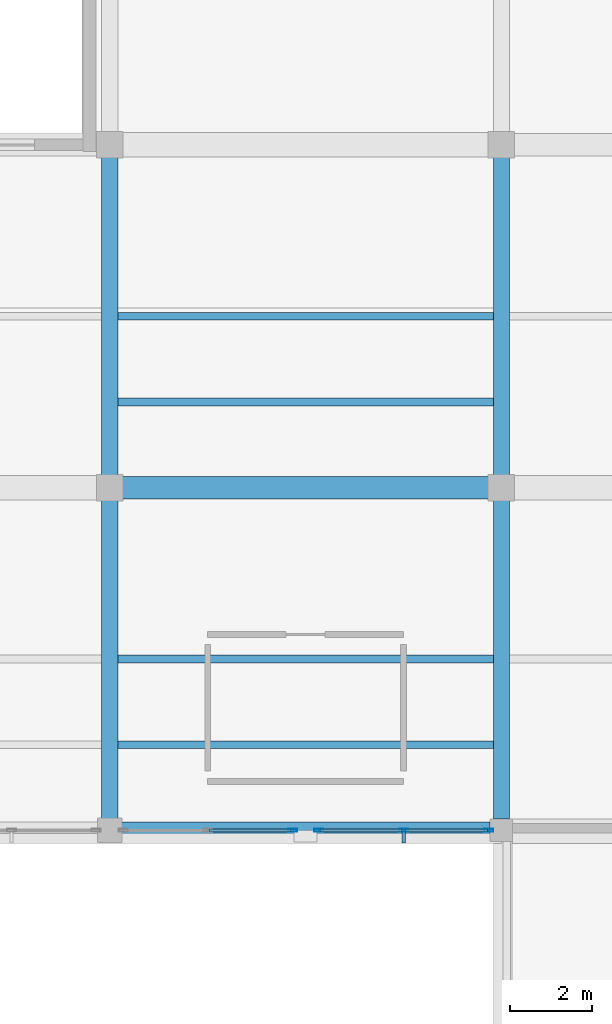
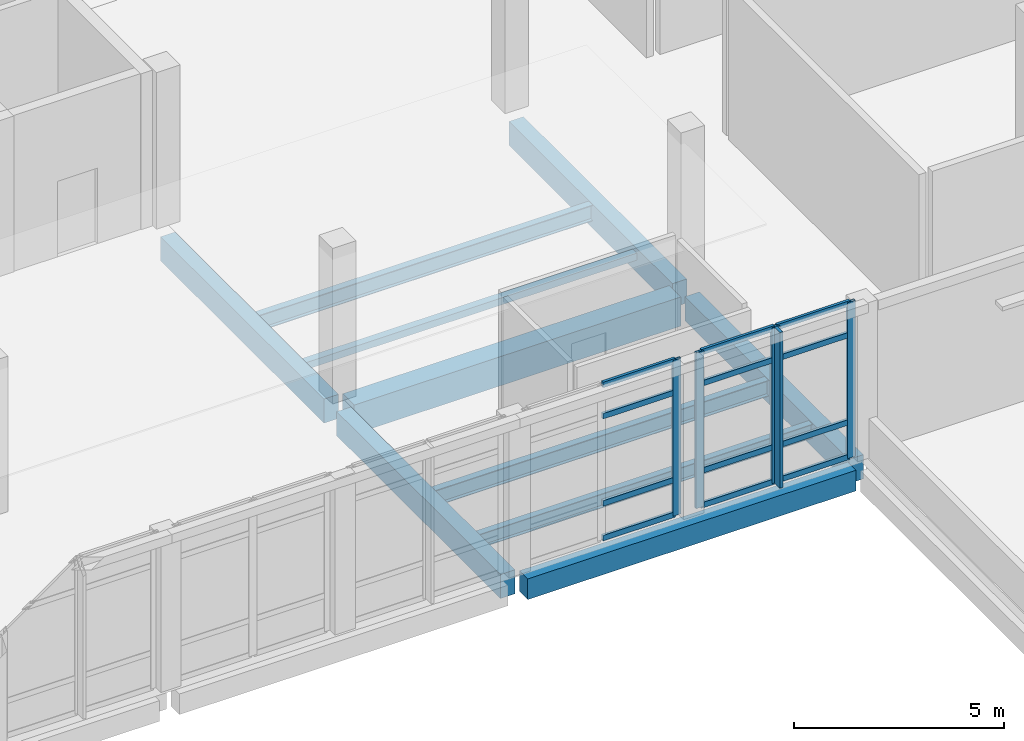
# One storey, part 33 of 88: 17 members, 10 beams, 2 elements without a shape of their own.
"""IFC4 building model written with IfcOpenShell, lengths in metres."""

from ifc_helpers import new_model, si_unit, direction, frame, origin, origin_2d, place, context, subcontext, project, spatial, rectangle, hollow_rectangle, i_section, extrude, material, layer, layer_set, material_profile, profile_set, type_object, element, aggregate, save


model = new_model("IFC4")

# Units and contexts
model_context = context("Model", 3, precision=1e-05, world=origin(), true_north=direction((0.0, 1.0)))
body_context = subcontext(model_context, "Body", "Model", "MODEL_VIEW")
ifc_project = project(units=[si_unit("LENGTHUNIT", "METRE"), si_unit("AREAUNIT", "SQUARE_METRE"), si_unit("VOLUMEUNIT", "CUBIC_METRE"), si_unit("PLANEANGLEUNIT", "RADIAN"), si_unit("MASSUNIT", "GRAM", prefix="KILO")], contexts=[model_context])

# Site, building, storey
site_placement = place(None, origin())
site = spatial("IfcSite", under=ifc_project, at=site_placement, CompositionType="ELEMENT")
building_placement = place(site_placement, origin())
building = spatial("IfcBuilding", under=site, at=building_placement, Name="Lornevale Opera House", CompositionType="ELEMENT")
storey_placement = place(building_placement, frame((0.0, 0.0, 10.199951171875)))
storey = spatial("IfcBuildingStorey", under=building, at=storey_placement, Name="L03", CompositionType="ELEMENT", Elevation=10.199951171875)

# Beams
ifc_material_1 = material(Name="Concrete 35 MPa (CSA A23.1 N)", Category="concrete")
ifc_material_profile_1 = material_profile(ifc_material_1, rectangle(XDim=0.39990234375, YDim=0.699951171875, at=origin_2d()), Name="RC400x700")
ifc_profile_set_1 = profile_set([ifc_material_profile_1], Name="Concrete 35 MPa (CSA A23.1 N)")
beam_type_1 = type_object("IfcBeamType", Name="Concrete Floor Beam 400x700", PredefinedType="USERDEFINED", material=ifc_profile_set_1)
beam_1_placement = place(storey_placement, frame((115.199951171875, 17.074951171875, -0.6298828125), z_axis=(0.0, 1.0, 0.0), x_axis=(-1.0, 0.0, 0.0)))
element("IfcBeam", 1, at=beam_1_placement, inside=storey, type_object=beam_type_1, Name="Concrete Floor Beam 400x700 2320", ObjectType="GIRDER", PredefinedType="USERDEFINED", context=body_context, shape_type="SweptSolid", body=[
    extrude(rectangle(XDim=0.39990234375, YDim=0.699951171875, at=origin_2d()), origin(), (0.0, 0.0, 1.0), 7.824951171875),
])
beam_2_placement = place(storey_placement, frame((115.199951171875, 25.5, -0.6298828125), z_axis=(0.0, 1.0, 0.0), x_axis=(-1.0, 0.0, 0.0)))
element("IfcBeam", 2, at=beam_2_placement, inside=storey, type_object=beam_type_1, Name="Concrete Floor Beam 400x700 2321", ObjectType="GIRDER", PredefinedType="USERDEFINED", context=body_context, shape_type="SweptSolid", body=[
    extrude(rectangle(XDim=0.39990234375, YDim=0.699951171875, at=origin_2d()), origin(), (0.0, 0.0, 1.0), 7.800048828125),
])
beam_3_placement = place(storey_placement, frame((124.800048828125, 17.074951171875, -0.639892578125), z_axis=(0.0, 1.0, 0.0), x_axis=(-1.0, 0.0, 0.0)))
element("IfcBeam", 3, at=beam_3_placement, inside=storey, type_object=beam_type_1, Name="Concrete Floor Beam 400x700 2331", ObjectType="GIRDER", PredefinedType="USERDEFINED", context=body_context, shape_type="SweptSolid", body=[
    extrude(rectangle(XDim=0.39990234375, YDim=0.699951171875, at=origin_2d()), origin(), (0.0, 0.0, 1.0), 7.824951171875),
])
beam_4_placement = place(storey_placement, frame((124.800048828125, 25.5, -0.6298828125), z_axis=(0.0, 1.0, 0.0), x_axis=(-1.0, 0.0, 0.0)))
element("IfcBeam", 4, at=beam_4_placement, inside=storey, type_object=beam_type_1, Name="Concrete Floor Beam 400x700 2332", ObjectType="GIRDER", PredefinedType="USERDEFINED", context=body_context, shape_type="SweptSolid", body=[
    extrude(rectangle(XDim=0.39990234375, YDim=0.699951171875, at=origin_2d()), origin(), (0.0, 0.0, 1.0), 7.800048828125),
])
ifc_material_profile_2 = material_profile(ifc_material_1, rectangle(XDim=0.550048828125, YDim=0.85009765625, at=origin_2d()), Name="RC550x850")
ifc_profile_set_2 = profile_set([ifc_material_profile_2], Name="Concrete 35 MPa (CSA A23.1 N)")
beam_type_2 = type_object("IfcBeamType", Name="Concrete Primary Girder 550x850", PredefinedType="USERDEFINED", material=ifc_profile_set_2)
beam_5_placement = place(storey_placement, frame((115.5, 25.199951171875, -0.704833984375), z_axis=(1.0, 0.0, 0.0), x_axis=(0.0, 1.0, 0.0)))
element("IfcBeam", 5, at=beam_5_placement, inside=storey, type_object=beam_type_2, Name="Concrete Primary Girder 550x850 2113", ObjectType="GIRDER", PredefinedType="USERDEFINED", context=body_context, shape_type="SweptSolid", body=[
    extrude(rectangle(XDim=0.550048828125, YDim=0.85009765625, at=origin_2d()), origin(), (0.0, 0.0, 1.0), 9.0),
])
ifc_material_profile_3 = material_profile(ifc_material_1, rectangle(XDim=0.39990234375, YDim=0.60009765625, at=origin_2d()), Name="RC400x600")
ifc_profile_set_3 = profile_set([ifc_material_profile_3], Name="Concrete 35 MPa (CSA A23.1 N)")
beam_type_3 = type_object("IfcBeamType", Name="Concrete Spandrel Beam 400x600", PredefinedType="SPANDREL", material=ifc_profile_set_3)
beam_6_placement = place(storey_placement, frame((115.47509765625, 16.800048828125, -0.58984375), z_axis=(1.0, 0.0, 0.0), x_axis=(0.0, 1.0, 0.0)))
element("IfcBeam", 6, at=beam_6_placement, inside=storey, type_object=beam_type_3, Name="Concrete Spandrel Beam 400x600 2100", PredefinedType="SPANDREL", context=body_context, shape_type="SweptSolid", body=[
    extrude(rectangle(XDim=0.39990234375, YDim=0.60009765625, at=origin_2d()), origin(), (0.0, 0.0, 1.0), 9.0498046875),
])
ifc_material_2 = material(Name="Structural Steel CSA G40.21 Grade 350W (350 MPa)", Category="steel")
ifc_material_profile_4 = material_profile(ifc_material_2, i_section(OverallWidth=0.178955078125, OverallDepth=0.409912109375, WebThickness=0.0087890625, FlangeThickness=0.014404296875, at=origin_2d()), Name="W410x67")
ifc_profile_set_4 = profile_set([ifc_material_profile_4], Name="Structural Steel CSA G40.21 Grade 350W (350 MPa)")
beam_type_4 = type_object("IfcBeamType", Name="Conservatory Joist W410x67", PredefinedType="JOIST", material=ifc_profile_set_4)
beam_7_placement = place(storey_placement, frame((115.39990234375, 18.89990234375, -0.52001953125), z_axis=(1.0, 0.0, 0.0), x_axis=(0.0, 1.0, 0.0)))
element("IfcBeam", 7, at=beam_7_placement, inside=storey, type_object=beam_type_4, Name="Conservatory Joist W410x67 3045", PredefinedType="JOIST", context=body_context, shape_type="SweptSolid", body=[
    extrude(i_section(OverallWidth=0.178955078125, OverallDepth=0.409912109375, WebThickness=0.0087890625, FlangeThickness=0.014404296875, at=origin_2d()), origin(), (0.0, 0.0, 1.0), 9.35009765625),
])

# Curtain wall, members
ifc_material_3 = material(Name="Anodized Oxide-Green Aluminium Framing", Category="aluminium")
ifc_layer = layer(ifc_material_3, 0.219970703125)
ifc_layer_set = layer_set([ifc_layer], Name="Anodized Oxide-Green Aluminium Framing")
curtain_wall_type = type_object("IfcCurtainWallType", Name="Winter-Garden Curtain Wall M1900", PredefinedType="NOTDEFINED", material=ifc_layer_set)
curtain_wall_1_placement = place(storey_placement, origin())
curtain_wall_1 = element("IfcCurtainWall", 8, at=curtain_wall_1_placement, inside=storey, type_object=curtain_wall_type, Name="Winter-Garden Curtain Wall M1900 CW-143", PredefinedType="NOTDEFINED")
ifc_material_profile_5 = material_profile(ifc_material_3, hollow_rectangle(XDim=0.074951171875, YDim=0.219970703125, WallThickness=0.0048828125, at=origin_2d()), Name="ALU75x220x5")
ifc_profile_set_5 = profile_set([ifc_material_profile_5], Name="Anodized Oxide-Green Aluminium Framing")
member_type_1 = type_object("IfcMemberType", Name="Curtain Wall Mullion 75x220", PredefinedType="MULLION", material=ifc_profile_set_5)
member_1_placement = place(storey_placement, frame((124.491455078125, 16.800048828125, 0.0), z_axis=(0.0, 0.0, 1.0), x_axis=(0.0, -1.0, 0.0)))
member_1 = element("IfcMember", 9, at=member_1_placement, type_object=member_type_1, Name="Curtain Wall Mullion 75x220 CW2983", PredefinedType="MULLION", context=body_context, shape_type="SweptSolid", body=[
    extrude(hollow_rectangle(XDim=0.074951171875, YDim=0.219970703125, WallThickness=0.0048828125, at=origin_2d()), origin(), (0.0, 0.0, 1.0), 4.5400390625),
])
member_2_placement = place(storey_placement, frame((122.404541015625, 16.800048828125, 0.0), z_axis=(0.0, 0.0, 1.0), x_axis=(0.0, -1.0, 0.0)))
member_2 = element("IfcMember", 10, at=member_2_placement, type_object=member_type_1, Name="Curtain Wall Mullion 75x220 CW2984", PredefinedType="MULLION", context=body_context, shape_type="SweptSolid", body=[
    extrude(hollow_rectangle(XDim=0.074951171875, YDim=0.219970703125, WallThickness=0.0048828125, at=origin_2d()), origin(), (0.0, 0.0, 1.0), 4.5400390625),
])
member_3_placement = place(storey_placement, frame((120.3173828125, 16.800048828125, 0.0), z_axis=(0.0, 0.0, 1.0), x_axis=(0.0, -1.0, 0.0)))
member_3 = element("IfcMember", 11, at=member_3_placement, type_object=member_type_1, Name="Curtain Wall Mullion 75x220 CW2985", PredefinedType="MULLION", context=body_context, shape_type="SweptSolid", body=[
    extrude(hollow_rectangle(XDim=0.074951171875, YDim=0.219970703125, WallThickness=0.0048828125, at=origin_2d()), origin(), (0.0, 0.0, 1.0), 4.5400390625),
])

# Curtain wall, member
curtain_wall_2_placement = place(storey_placement, origin())
curtain_wall_2 = element("IfcCurtainWall", 12, at=curtain_wall_2_placement, inside=storey, type_object=curtain_wall_type, Name="Winter-Garden Curtain Wall M1900 CW-144", PredefinedType="NOTDEFINED")
member_4_placement = place(storey_placement, frame((119.6826171875, 16.800048828125, 0.0), z_axis=(0.0, 0.0, 1.0), x_axis=(0.0, -1.0, 0.0)))
member_4 = element("IfcMember", 13, at=member_4_placement, type_object=member_type_1, Name="Curtain Wall Mullion 75x220 CW3000", PredefinedType="MULLION", context=body_context, shape_type="SweptSolid", body=[
    extrude(hollow_rectangle(XDim=0.074951171875, YDim=0.219970703125, WallThickness=0.0048828125, at=origin_2d()), origin(), (0.0, 0.0, 1.0), 4.5400390625),
])

# Member
ifc_material_profile_6 = material_profile(ifc_material_3, hollow_rectangle(XDim=0.074951171875, YDim=0.159912109375, WallThickness=0.0048828125, at=origin_2d()), Name="ALU75x160x5")
ifc_profile_set_6 = profile_set([ifc_material_profile_6], Name="Anodized Oxide-Green Aluminium Framing")
member_type_2 = type_object("IfcMemberType", Name="Curtain Wall Transom 75x160", PredefinedType="USERDEFINED", material=ifc_profile_set_6)
member_5_placement = place(storey_placement, frame((124.4541015625, 16.800048828125, 0.03759765625), z_axis=(-1.0, 0.0, 0.0), x_axis=(0.0, -1.0, 0.0)))
member_5 = element("IfcMember", 14, at=member_5_placement, type_object=member_type_2, Name="Curtain Wall Transom 75x160 CW2986", ObjectType="TRANSOM", PredefinedType="USERDEFINED", context=body_context, shape_type="SweptSolid", body=[
    extrude(hollow_rectangle(XDim=0.074951171875, YDim=0.159912109375, WallThickness=0.0048828125, at=origin_2d()), origin(), (0.0, 0.0, 1.0), 2.01220703125),
])

member_6_placement = place(storey_placement, frame((124.4541015625, 16.800048828125, 1.050048828125), z_axis=(-1.0, 0.0, 0.0), x_axis=(0.0, -1.0, 0.0)))
member_6 = element("IfcMember", 15, at=member_6_placement, type_object=member_type_2, Name="Curtain Wall Transom 75x160 CW2987", ObjectType="TRANSOM", PredefinedType="USERDEFINED", context=body_context, shape_type="SweptSolid", body=[
    extrude(hollow_rectangle(XDim=0.074951171875, YDim=0.159912109375, WallThickness=0.0048828125, at=origin_2d()), origin(), (0.0, 0.0, 1.0), 2.01220703125),
])

member_7_placement = place(storey_placement, frame((124.4541015625, 16.800048828125, 3.590087890625), z_axis=(-1.0, 0.0, 0.0), x_axis=(0.0, -1.0, 0.0)))
member_7 = element("IfcMember", 16, at=member_7_placement, type_object=member_type_2, Name="Curtain Wall Transom 75x160 CW2988", ObjectType="TRANSOM", PredefinedType="USERDEFINED", context=body_context, shape_type="SweptSolid", body=[
    extrude(hollow_rectangle(XDim=0.074951171875, YDim=0.159912109375, WallThickness=0.0048828125, at=origin_2d()), origin(), (0.0, 0.0, 1.0), 2.01220703125),
])

member_8_placement = place(storey_placement, frame((124.4541015625, 16.800048828125, 4.50244140625), z_axis=(-1.0, 0.0, 0.0), x_axis=(0.0, -1.0, 0.0)))
member_8 = element("IfcMember", 17, at=member_8_placement, type_object=member_type_2, Name="Curtain Wall Transom 75x160 CW2989", ObjectType="TRANSOM", PredefinedType="USERDEFINED", context=body_context, shape_type="SweptSolid", body=[
    extrude(hollow_rectangle(XDim=0.074951171875, YDim=0.159912109375, WallThickness=0.0048828125, at=origin_2d()), origin(), (0.0, 0.0, 1.0), 2.01220703125),
])

member_9_placement = place(storey_placement, frame((122.366943359375, 16.800048828125, 0.03759765625), z_axis=(-1.0, 0.0, 0.0), x_axis=(0.0, -1.0, 0.0)))
member_9 = element("IfcMember", 18, at=member_9_placement, type_object=member_type_2, Name="Curtain Wall Transom 75x160 CW2993", ObjectType="TRANSOM", PredefinedType="USERDEFINED", context=body_context, shape_type="SweptSolid", body=[
    extrude(hollow_rectangle(XDim=0.074951171875, YDim=0.159912109375, WallThickness=0.0048828125, at=origin_2d()), origin(), (0.0, 0.0, 1.0), 2.011962890625),
])

member_10_placement = place(storey_placement, frame((122.366943359375, 16.800048828125, 1.050048828125), z_axis=(-1.0, 0.0, 0.0), x_axis=(0.0, -1.0, 0.0)))
member_10 = element("IfcMember", 19, at=member_10_placement, type_object=member_type_2, Name="Curtain Wall Transom 75x160 CW2994", ObjectType="TRANSOM", PredefinedType="USERDEFINED", context=body_context, shape_type="SweptSolid", body=[
    extrude(hollow_rectangle(XDim=0.074951171875, YDim=0.159912109375, WallThickness=0.0048828125, at=origin_2d()), origin(), (0.0, 0.0, 1.0), 2.011962890625),
])

member_11_placement = place(storey_placement, frame((122.366943359375, 16.800048828125, 3.590087890625), z_axis=(-1.0, 0.0, 0.0), x_axis=(0.0, -1.0, 0.0)))
member_11 = element("IfcMember", 20, at=member_11_placement, type_object=member_type_2, Name="Curtain Wall Transom 75x160 CW2995", ObjectType="TRANSOM", PredefinedType="USERDEFINED", context=body_context, shape_type="SweptSolid", body=[
    extrude(hollow_rectangle(XDim=0.074951171875, YDim=0.159912109375, WallThickness=0.0048828125, at=origin_2d()), origin(), (0.0, 0.0, 1.0), 2.011962890625),
])

member_12_placement = place(storey_placement, frame((122.366943359375, 16.800048828125, 4.50244140625), z_axis=(-1.0, 0.0, 0.0), x_axis=(0.0, -1.0, 0.0)))
member_12 = element("IfcMember", 21, at=member_12_placement, type_object=member_type_2, Name="Curtain Wall Transom 75x160 CW2996", ObjectType="TRANSOM", PredefinedType="USERDEFINED", context=body_context, shape_type="SweptSolid", body=[
    extrude(hollow_rectangle(XDim=0.074951171875, YDim=0.159912109375, WallThickness=0.0048828125, at=origin_2d()), origin(), (0.0, 0.0, 1.0), 2.011962890625),
])

member_13_placement = place(storey_placement, frame((119.64501953125, 16.800048828125, 0.03759765625), z_axis=(-1.0, 0.0, 0.0), x_axis=(0.0, -1.0, 0.0)))
member_13 = element("IfcMember", 22, at=member_13_placement, type_object=member_type_2, Name="Curtain Wall Transom 75x160 CW3003", ObjectType="TRANSOM", PredefinedType="USERDEFINED", context=body_context, shape_type="SweptSolid", body=[
    extrude(hollow_rectangle(XDim=0.074951171875, YDim=0.159912109375, WallThickness=0.0048828125, at=origin_2d()), origin(), (0.0, 0.0, 1.0), 1.99951171875),
])

member_14_placement = place(storey_placement, frame((119.64501953125, 16.800048828125, 1.050048828125), z_axis=(-1.0, 0.0, 0.0), x_axis=(0.0, -1.0, 0.0)))
member_14 = element("IfcMember", 23, at=member_14_placement, type_object=member_type_2, Name="Curtain Wall Transom 75x160 CW3004", ObjectType="TRANSOM", PredefinedType="USERDEFINED", context=body_context, shape_type="SweptSolid", body=[
    extrude(hollow_rectangle(XDim=0.074951171875, YDim=0.159912109375, WallThickness=0.0048828125, at=origin_2d()), origin(), (0.0, 0.0, 1.0), 1.99951171875),
])

member_15_placement = place(storey_placement, frame((119.64501953125, 16.800048828125, 3.590087890625), z_axis=(-1.0, 0.0, 0.0), x_axis=(0.0, -1.0, 0.0)))
member_15 = element("IfcMember", 24, at=member_15_placement, type_object=member_type_2, Name="Curtain Wall Transom 75x160 CW3005", ObjectType="TRANSOM", PredefinedType="USERDEFINED", context=body_context, shape_type="SweptSolid", body=[
    extrude(hollow_rectangle(XDim=0.074951171875, YDim=0.159912109375, WallThickness=0.0048828125, at=origin_2d()), origin(), (0.0, 0.0, 1.0), 1.99951171875),
])

member_16_placement = place(storey_placement, frame((119.64501953125, 16.800048828125, 4.50244140625), z_axis=(-1.0, 0.0, 0.0), x_axis=(0.0, -1.0, 0.0)))
member_16 = element("IfcMember", 25, at=member_16_placement, type_object=member_type_2, Name="Curtain Wall Transom 75x160 CW3006", ObjectType="TRANSOM", PredefinedType="USERDEFINED", context=body_context, shape_type="SweptSolid", body=[
    extrude(hollow_rectangle(XDim=0.074951171875, YDim=0.159912109375, WallThickness=0.0048828125, at=origin_2d()), origin(), (0.0, 0.0, 1.0), 1.99951171875),
])

aggregate(curtain_wall_2, [member_4, member_13, member_14, member_15, member_16])

# Beam
ifc_material_profile_7 = material_profile(ifc_material_2, hollow_rectangle(XDim=0.202880859375, YDim=0.202880859375, WallThickness=0.009521484375, at=origin_2d()), Name="HSS203x203x10")
ifc_profile_set_7 = profile_set([ifc_material_profile_7], Name="Structural Steel CSA G40.21 Grade 350W (350 MPa)")
beam_type_5 = type_object("IfcBeamType", Name="Lantern Ridge HSS203x203x10", PredefinedType="JOIST", material=ifc_profile_set_7)
beam_8_placement = place(storey_placement, frame((115.25, 27.300048828125, -0.52001953125), z_axis=(1.0, 0.0, 0.0), x_axis=(0.0, 1.0, 0.0)))
element("IfcBeam", 26, at=beam_8_placement, inside=storey, type_object=beam_type_5, Name="Lantern Ridge HSS203x203x10 3052", PredefinedType="JOIST", context=body_context, shape_type="SweptSolid", body=[
    extrude(hollow_rectangle(XDim=0.202880859375, YDim=0.202880859375, WallThickness=0.009521484375, at=origin_2d()), origin(), (0.0, 0.0, 1.0), 9.5),
])

# Member
ifc_material_4 = material(Name="Architectural Bronze Solar Louvre Alloy", Category="metal")
ifc_material_profile_8 = material_profile(ifc_material_4, rectangle(XDim=0.080078125, YDim=0.360107421875, at=origin_2d()), Name="FIN80x360")
ifc_profile_set_8 = profile_set([ifc_material_profile_8], Name="Architectural Bronze Solar Louvre Alloy")
member_type_3 = type_object("IfcMemberType", Name="Solar Shading Fin 80x360", PredefinedType="USERDEFINED", material=ifc_profile_set_8)
member_17_placement = place(storey_placement, frame((122.404541015625, 16.674072265625, 0.0), z_axis=(0.0, 0.0, 1.0), x_axis=(-1.0, 0.0, 0.0)))
member_17 = element("IfcMember", 27, at=member_17_placement, type_object=member_type_3, Name="Solar Shading Fin 80x360 FIN0060", ObjectType="SOLAR FIN", PredefinedType="USERDEFINED", context=body_context, shape_type="SweptSolid", body=[
    extrude(rectangle(XDim=0.080078125, YDim=0.360107421875, at=origin_2d()), origin(), (0.0, 0.0, 1.0), 4.5400390625),
])

aggregate(curtain_wall_1, [member_1, member_2, member_3, member_5, member_6, member_7, member_8, member_9, member_10, member_11, member_12, member_17])

# Beams
ifc_material_profile_9 = material_profile(ifc_material_2, i_section(OverallWidth=0.19189453125, OverallDepth=0.462890625, WebThickness=0.010498046875, FlangeThickness=0.017578125, at=origin_2d()), Name="W460x89")
ifc_profile_set_9 = profile_set([ifc_material_profile_9], Name="Structural Steel CSA G40.21 Grade 350W (350 MPa)")
beam_type_6 = type_object("IfcBeamType", Name="Steel Floor Joist W460x89", PredefinedType="JOIST", material=ifc_profile_set_9)
for number, where, z_axis, x_axis, name in (
    (28, (115.39990234375, 21.0, -0.536376953125), (1.0, 0.0, 0.0), (0.0, 1.0, 0.0), "Steel Floor Joist W460x89 2430"),
    (29, (115.39990234375, 29.39990234375, -0.5263671875), (1.0, 0.0, 0.0), (0.0, 1.0, 0.0), "Steel Floor Joist W460x89 2431"),
):
    element("IfcBeam", number, at=place(storey_placement, frame(where, z_axis=z_axis, x_axis=x_axis)), inside=storey, type_object=beam_type_6, Name=name, PredefinedType="JOIST", context=body_context, shape_type="SweptSolid", body=[
        extrude(i_section(OverallWidth=0.19189453125, OverallDepth=0.462890625, WebThickness=0.010498046875, FlangeThickness=0.017578125, at=origin_2d()), origin(), (0.0, 0.0, 1.0), 9.2001953125),
    ])

save(model, "model.ifc")
